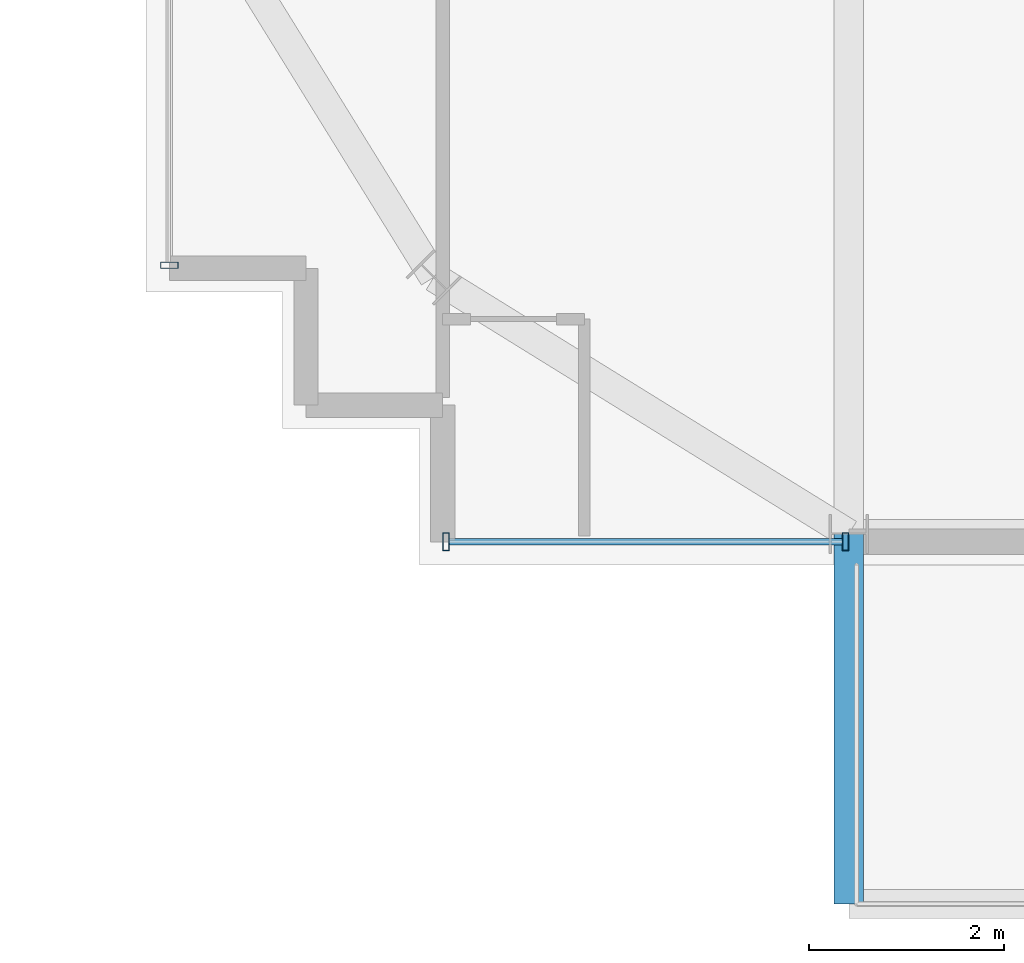
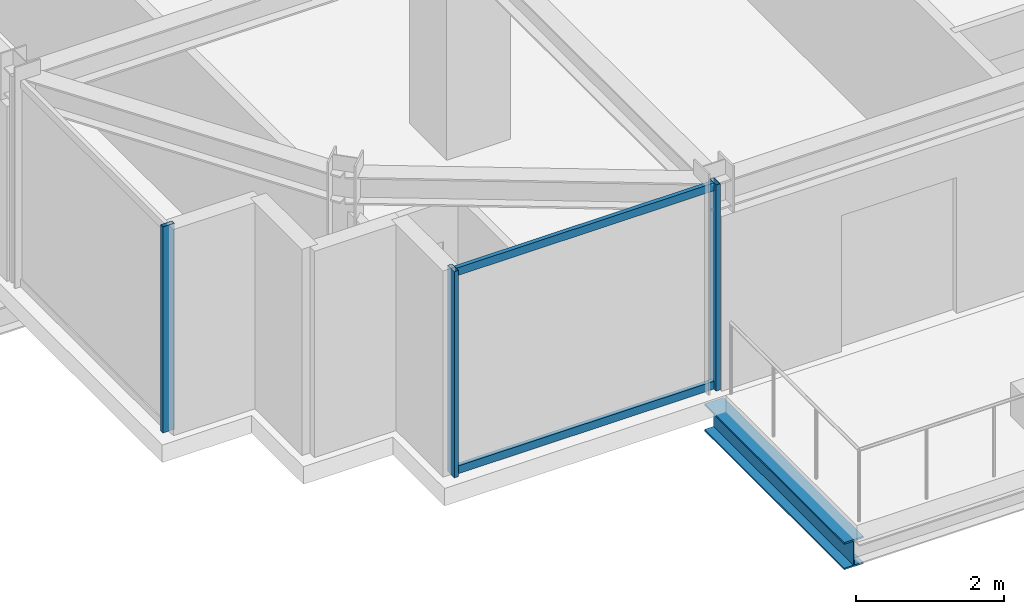
# One storey, part 3 of 35: 5 members, 1 beam, 2 elements without a shape of their own.
"""IFC4 building model written with IfcOpenShell, lengths in metres."""

from ifc_helpers import new_model, si_unit, direction, frame, origin, origin_2d, place, context, subcontext, project, spatial, hollow_rectangle, i_section, extrude, source, transform, mapped, material, material_profile, profile_set, type_object, element, aggregate, save


model = new_model("IFC4")

# Units and contexts
model_context = context("Model", 3, precision=1e-05, world=origin(), true_north=direction((0.0, 1.0)))
body_context = subcontext(model_context, "Body", "Model", "MODEL_VIEW")
ifc_project = project(units=[si_unit("LENGTHUNIT", "METRE"), si_unit("AREAUNIT", "SQUARE_METRE"), si_unit("VOLUMEUNIT", "CUBIC_METRE"), si_unit("PLANEANGLEUNIT", "RADIAN"), si_unit("MASSUNIT", "GRAM", prefix="KILO")], contexts=[model_context])

# Site, building, storey
site_placement = place(None, origin())
site = spatial("IfcSite", under=ifc_project, at=site_placement, CompositionType="ELEMENT")
building_placement = place(site_placement, origin())
building = spatial("IfcBuilding", under=site, at=building_placement, Name="Nahalor Promenade Grand Hotel", CompositionType="ELEMENT")
storey_placement = place(building_placement, frame((0.0, 0.0, 216.0)))
storey = spatial("IfcBuildingStorey", under=building, at=storey_placement, Name="L55", CompositionType="ELEMENT", Elevation=216.0)

# Beam
ifc_material_1 = material(Name="Steel S355JR", Category="steel")
ifc_material_profile_1 = material_profile(ifc_material_1, i_section(OverallWidth=0.3, OverallDepth=0.45, WebThickness=0.014, FlangeThickness=0.026, at=origin_2d()), Name="HEB 450")
ifc_profile_set_1 = profile_set([ifc_material_profile_1], Name="Steel S355JR")
beam_type = type_object("IfcBeamType", Name="Beam-Outrigger-HEB450", PredefinedType="BEAM", material=ifc_profile_set_1)
shared_shape_1 = source(origin(), body_context, "Body", "SweptSolid", [
    extrude(i_section(OverallWidth=0.3, OverallDepth=0.45, WebThickness=0.014, FlangeThickness=0.026, at=origin_2d()), origin(), (0.0, 0.0, 1.0), 3.7900390625),
])
beam_placement = place(storey_placement, frame((-17.0, -27.669921875, -0.5048828125), z_axis=(0.0, 1.0, 0.0), x_axis=(-1.0, 0.0, 0.0)))
element("IfcBeam", 1, at=beam_placement, inside=storey, type_object=beam_type, Name="BM-L55-BC-01-1", PredefinedType="BEAM", context=body_context, shape_type="MappedRepresentation", body=[
    mapped(shared_shape_1, transform((0.0, 0.0, 0.0), scale=1.0)),
])

# Curtain wall, members
ifc_material_2 = material(Name="Anodised Bronze Aluminium EN AW-6063 T6", Category="aluminium")
curtain_wall_type = type_object("IfcCurtainWallType", Name="CW2 Typical Hotel Flush Bronze Unitised Curtain Wall", PredefinedType="USERDEFINED", material=ifc_material_2)
curtain_wall_1_placement = place(storey_placement, origin())
curtain_wall_1 = element("IfcCurtainWall", 2, at=curtain_wall_1_placement, inside=storey, type_object=curtain_wall_type, Name="L55 Curtain Wall CW-L55-S-1", ObjectType="UNITISED_CURTAIN_WALL", PredefinedType="USERDEFINED")
ifc_material_profile_2 = material_profile(ifc_material_2, hollow_rectangle(XDim=0.065, YDim=0.13, WallThickness=0.004, at=origin_2d()), Name="CWT 65x130x4")
ifc_profile_set_2 = profile_set([ifc_material_profile_2], Name="Anodised Bronze Aluminium EN AW-6063 T6")
member_type_1 = type_object("IfcMemberType", Name="CWT2 Typical Bronze Transom 65x130", PredefinedType="USERDEFINED", material=ifc_profile_set_2)
shared_shape_2 = source(origin(), body_context, "Body", "SweptSolid", [
    extrude(hollow_rectangle(XDim=0.065, YDim=0.13, WallThickness=0.004, at=origin_2d()), origin(), (0.0, 0.0, 1.0), 4.030029296875),
])
member_1_placement = place(storey_placement, frame((-21.094970703125, -23.9599609375, 0.06494140625), z_axis=(1.0, 0.0, 0.0), x_axis=(0.0, 1.0, 0.0)))
member_1 = element("IfcMember", 3, at=member_1_placement, type_object=member_type_1, Name="CW-L55-S-1 Transom 0-0", ObjectType="TRANSOM", PredefinedType="USERDEFINED", context=body_context, shape_type="MappedRepresentation", body=[
    mapped(shared_shape_2, transform((0.0, 0.0, 0.0), scale=1.0)),
])
member_2_placement = place(storey_placement, frame((-21.094970703125, -23.9599609375, 3.344970703125), z_axis=(1.0, 0.0, 0.0), x_axis=(0.0, 1.0, 0.0)))
member_2 = element("IfcMember", 4, at=member_2_placement, type_object=member_type_1, Name="CW-L55-S-1 Transom 0-1", ObjectType="TRANSOM", PredefinedType="USERDEFINED", context=body_context, shape_type="MappedRepresentation", body=[
    mapped(shared_shape_2, transform((0.0, 0.0, 0.0), scale=1.0)),
])
ifc_material_profile_3 = material_profile(ifc_material_2, hollow_rectangle(XDim=0.065, YDim=0.18, WallThickness=0.004, at=origin_2d()), Name="CWM 65x180x4")
ifc_profile_set_3 = profile_set([ifc_material_profile_3], Name="Anodised Bronze Aluminium EN AW-6063 T6")
member_type_2 = type_object("IfcMemberType", Name="CWM2 Typical Bronze Mullion 65x180", PredefinedType="MULLION", material=ifc_profile_set_3)
shared_shape_3 = source(origin(), body_context, "Body", "SweptSolid", [
    extrude(hollow_rectangle(XDim=0.065, YDim=0.18, WallThickness=0.004, at=origin_2d()), origin(), (0.0, 0.0, 1.0), 3.409912109375),
])
member_3_placement = place(storey_placement, frame((-21.12744140625, -23.9599609375, 0.0), z_axis=(0.0, 0.0, 1.0), x_axis=(1.0, 0.0, 0.0)))
member_3 = element("IfcMember", 5, at=member_3_placement, type_object=member_type_2, Name="CW-L55-S-1 Mullion 0", PredefinedType="MULLION", context=body_context, shape_type="MappedRepresentation", body=[
    mapped(shared_shape_3, transform((0.0, 0.0, 0.0), scale=1.0)),
])
member_4_placement = place(storey_placement, frame((-17.032470703125, -23.9599609375, 0.0), z_axis=(0.0, 0.0, 1.0), x_axis=(1.0, 0.0, 0.0)))
member_4 = element("IfcMember", 6, at=member_4_placement, type_object=member_type_2, Name="CW-L55-S-1 Mullion 1", PredefinedType="MULLION", context=body_context, shape_type="MappedRepresentation", body=[
    mapped(shared_shape_3, transform((0.0, 0.0, 0.0), scale=1.0)),
])
aggregate(curtain_wall_1, [member_3, member_4, member_1, member_2])

# Curtain wall, member
curtain_wall_2_placement = place(storey_placement, origin())
curtain_wall_2 = element("IfcCurtainWall", 7, at=curtain_wall_2_placement, inside=storey, type_object=curtain_wall_type, Name="L55 Curtain Wall CW-L55-W-1", ObjectType="UNITISED_CURTAIN_WALL", PredefinedType="USERDEFINED")
member_5_placement = place(storey_placement, frame((-23.9599609375, -21.12744140625, 0.0), z_axis=(0.0, 0.0, 1.0), x_axis=(0.0, 1.0, 0.0)))
member_5 = element("IfcMember", 8, at=member_5_placement, type_object=member_type_2, Name="CW-L55-W-1 Mullion 0", PredefinedType="MULLION", context=body_context, shape_type="MappedRepresentation", body=[
    mapped(shared_shape_3, transform((0.0, 0.0, 0.0), scale=1.0)),
])
aggregate(curtain_wall_2, [member_5])

save(model, "model.ifc")
